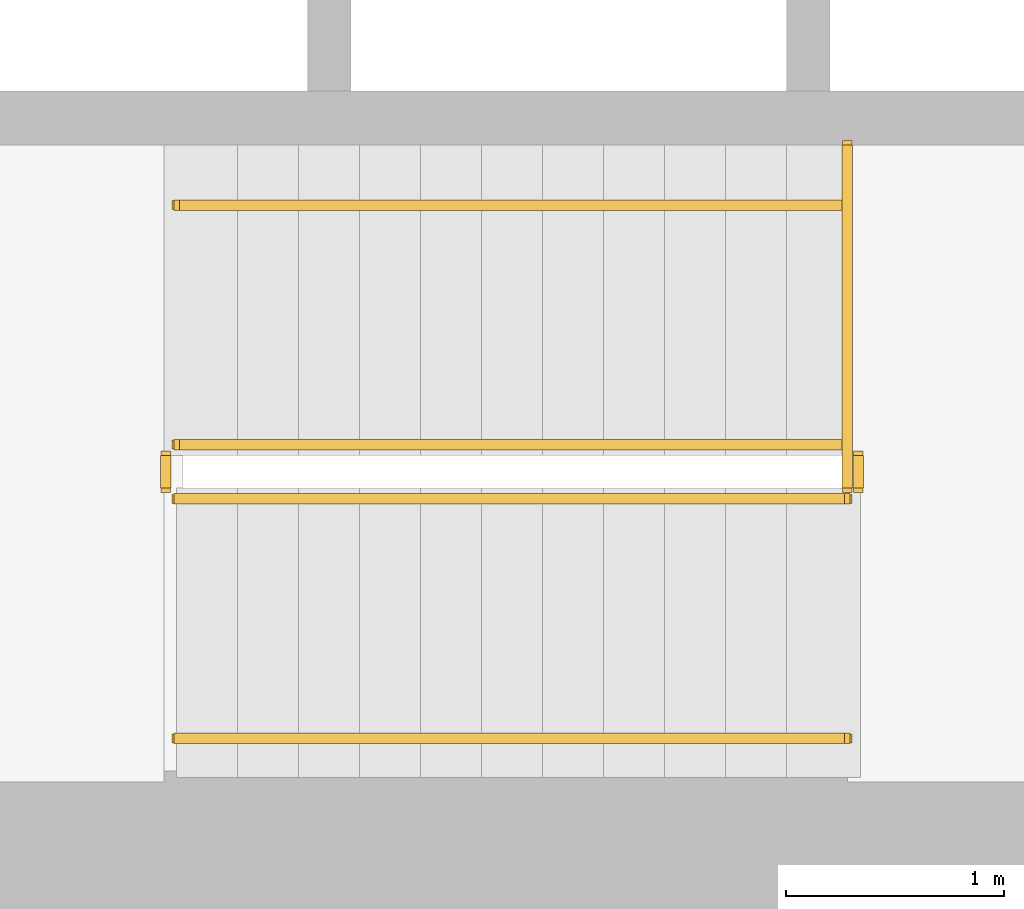
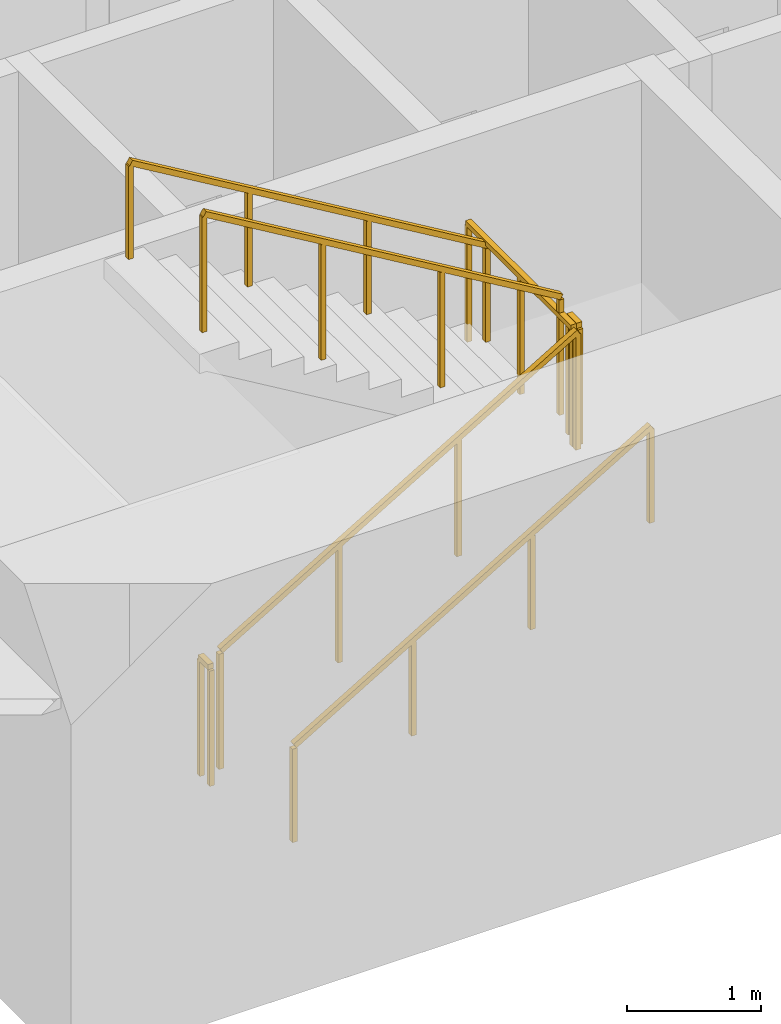
# One storey, part 12 of 15: 7 railings.
"""IFC4 building model written with IfcOpenShell, lengths in metres."""

from ifc_helpers import new_model, si_unit, direction, frame, origin, origin_2d, place, context, subcontext, project, spatial, rectangle, extrude, material, type_object, element, save


model = new_model("IFC4")

# Units and contexts
model_context = context("Model", 3, precision=1e-05, world=origin(), true_north=direction((0.0, 1.0)))
body_context = subcontext(model_context, "Body", "Model", "MODEL_VIEW")
ifc_project = project(units=[si_unit("LENGTHUNIT", "METRE"), si_unit("AREAUNIT", "SQUARE_METRE"), si_unit("VOLUMEUNIT", "CUBIC_METRE"), si_unit("PLANEANGLEUNIT", "RADIAN"), si_unit("MASSUNIT", "GRAM", prefix="KILO")], contexts=[model_context])

# Site, building, storey
site_placement = place(None, origin())
site = spatial("IfcSite", under=ifc_project, at=site_placement, CompositionType="ELEMENT")
building_placement = place(site_placement, origin())
building = spatial("IfcBuilding", under=site, at=building_placement, Name="Sennacour Bend Tower", CompositionType="ELEMENT")
storey_placement = place(building_placement, frame((0.0, 0.0, 41.0)))
storey = spatial("IfcBuildingStorey", under=building, at=storey_placement, Name="L08", CompositionType="ELEMENT", Elevation=41.0)

# Railings
ifc_material = material(Name="Stainless steel", Category="steel")
railing_type_1 = type_object("IfcRailingType", Name="RL-GUARD-1100", PredefinedType="GUARDRAIL", material=ifc_material)
railing_1_placement = place(storey_placement, frame((56.699951171875, 2.449951171875, 0.166748046875)))
element("IfcRailing", 1, at=railing_1_placement, inside=storey, type_object=railing_type_1, Name="L08 SA1 stair guard 1", PredefinedType="GUARDRAIL", context=body_context, shape_type="SweptSolid", body=[
    extrude(rectangle(XDim=0.048095703125, YDim=0.048095703125, at=origin_2d()), frame((0.0, 0.0, 1.076171875), z_axis=(0.859308565015, 0.0, 0.511457515432), x_axis=(0.0, 1.0, 0.0)), (0.0, 0.0, 1.0), 3.58447265625),
    extrude(rectangle(XDim=0.0419921875, YDim=0.0419921875, at=origin_2d()), origin(), (0.0, 0.0, 1.0), 1.052001953125),
    extrude(rectangle(XDim=0.0419921875, YDim=0.0419921875, at=origin_2d()), frame((1.026611328125, 0.0, 0.611083984375)), (0.0, 0.0, 1.0), 1.052001953125),
    extrude(rectangle(XDim=0.0419921875, YDim=0.0419921875, at=origin_2d()), frame((2.053466796875, 0.0, 1.22216796875)), (0.0, 0.0, 1.0), 1.052001953125),
    extrude(rectangle(XDim=0.0419921875, YDim=0.0419921875, at=origin_2d()), frame((3.080078125, 0.0, 1.833251953125)), (0.0, 0.0, 1.0), 1.052001953125),
])
railing_2_placement = place(storey_placement, frame((59.830078125, 2.5, 2.0)))
element("IfcRailing", 2, at=railing_2_placement, inside=storey, type_object=railing_type_1, Name="L08 SA1 stair guard 2", PredefinedType="GUARDRAIL", context=body_context, shape_type="SweptSolid", body=[
    extrude(rectangle(XDim=0.048095703125, YDim=0.048095703125, at=origin_2d()), frame((0.0, 0.0, 1.076171875), z_axis=(0.0, 1.0, 0.0), x_axis=(-1.0, 0.0, 0.0)), (0.0, 0.0, 1.0), 0.14990234375),
    extrude(rectangle(XDim=0.0419921875, YDim=0.0419921875, at=origin_2d()), origin(), (0.0, 0.0, 1.0), 1.052001953125),
    extrude(rectangle(XDim=0.0419921875, YDim=0.0419921875, at=origin_2d()), frame((0.0, 0.14990234375, 0.0)), (0.0, 0.0, 1.0), 1.052001953125),
])
railing_3_placement = place(storey_placement, frame((59.780029296875, 2.699951171875, 2.166748046875)))
element("IfcRailing", 3, at=railing_3_placement, inside=storey, type_object=railing_type_1, Name="L08 SA1 stair guard 4", PredefinedType="GUARDRAIL", context=body_context, shape_type="SweptSolid", body=[
    extrude(rectangle(XDim=0.048095703125, YDim=0.048095703125, at=origin_2d()), frame((0.0, 0.0, 1.076171875), z_axis=(-0.859308565015, 0.0, 0.511457515432), x_axis=(0.0, -1.0, 0.0)), (0.0, 0.0, 1.0), 3.58447265625),
    extrude(rectangle(XDim=0.0419921875, YDim=0.0419921875, at=origin_2d()), origin(), (0.0, 0.0, 1.0), 1.052001953125),
    extrude(rectangle(XDim=0.0419921875, YDim=0.0419921875, at=origin_2d()), frame((-1.026611328125, 0.0, 0.611083984375)), (0.0, 0.0, 1.0), 1.052001953125),
    extrude(rectangle(XDim=0.0419921875, YDim=0.0419921875, at=origin_2d()), frame((-2.053466796875, 0.0, 1.22216796875)), (0.0, 0.0, 1.0), 1.052001953125),
    extrude(rectangle(XDim=0.0419921875, YDim=0.0419921875, at=origin_2d()), frame((-3.080078125, 0.0, 1.833251953125)), (0.0, 0.0, 1.0), 1.052001953125),
])
railing_4_placement = place(storey_placement, frame((56.64990234375, 2.5, 0.0)))
element("IfcRailing", 4, at=railing_4_placement, inside=storey, type_object=railing_type_1, Name="L08 SA1 stair guard 5", PredefinedType="GUARDRAIL", context=body_context, shape_type="SweptSolid", body=[
    extrude(rectangle(XDim=0.048095703125, YDim=0.048095703125, at=origin_2d()), frame((0.0, 0.0, 1.076171875), z_axis=(0.0, 1.0, 0.0), x_axis=(-1.0, 0.0, 0.0)), (0.0, 0.0, 1.0), 0.14990234375),
    extrude(rectangle(XDim=0.0419921875, YDim=0.0419921875, at=origin_2d()), origin(), (0.0, 0.0, 1.0), 1.052001953125),
    extrude(rectangle(XDim=0.0419921875, YDim=0.0419921875, at=origin_2d()), frame((0.0, 0.14990234375, 0.0)), (0.0, 0.0, 1.0), 1.052001953125),
])
railing_5_placement = place(storey_placement, frame((59.780029296875, 2.5, 2.0)))
element("IfcRailing", 5, at=railing_5_placement, inside=storey, type_object=railing_type_1, Name="L08 SA1 landing edge guard 23", PredefinedType="GUARDRAIL", context=body_context, shape_type="SweptSolid", body=[
    extrude(rectangle(XDim=0.048095703125, YDim=0.048095703125, at=origin_2d()), frame((0.0, 0.0, 1.076171875), z_axis=(0.0, 1.0, 0.0), x_axis=(-1.0, 0.0, 0.0)), (0.0, 0.0, 1.0), 1.574951171875),
    extrude(rectangle(XDim=0.0419921875, YDim=0.0419921875, at=origin_2d()), origin(), (0.0, 0.0, 1.0), 1.052001953125),
    extrude(rectangle(XDim=0.0419921875, YDim=0.0419921875, at=origin_2d()), frame((0.0, 0.78759765625, 0.0)), (0.0, 0.0, 1.0), 1.052001953125),
    extrude(rectangle(XDim=0.0419921875, YDim=0.0419921875, at=origin_2d()), frame((0.0, 1.574951171875, 0.0)), (0.0, 0.0, 1.0), 1.052001953125),
])
railing_type_2 = type_object("IfcRailingType", Name="RL-HANDRAIL-900", PredefinedType="HANDRAIL", material=ifc_material)
railing_6_placement = place(storey_placement, frame((56.699951171875, 1.35009765625, 0.166748046875)))
element("IfcRailing", 6, at=railing_6_placement, inside=storey, type_object=railing_type_2, Name="L08 SA1 stair handrail 1", PredefinedType="HANDRAIL", context=body_context, shape_type="SweptSolid", body=[
    extrude(rectangle(XDim=0.048095703125, YDim=0.048095703125, at=origin_2d()), frame((0.0, 0.0, 0.8759765625), z_axis=(0.859308565015, 0.0, 0.511457515432), x_axis=(0.0, 1.0, 0.0)), (0.0, 0.0, 1.0), 3.58447265625),
    extrude(rectangle(XDim=0.0419921875, YDim=0.0419921875, at=origin_2d()), origin(), (0.0, 0.0, 1.0), 0.851806640625),
    extrude(rectangle(XDim=0.0419921875, YDim=0.0419921875, at=origin_2d()), frame((1.026611328125, 0.0, 0.611083984375)), (0.0, 0.0, 1.0), 0.851806640625),
    extrude(rectangle(XDim=0.0419921875, YDim=0.0419921875, at=origin_2d()), frame((2.053466796875, 0.0, 1.22216796875)), (0.0, 0.0, 1.0), 0.851806640625),
    extrude(rectangle(XDim=0.0419921875, YDim=0.0419921875, at=origin_2d()), frame((3.080078125, 0.0, 1.833251953125)), (0.0, 0.0, 1.0), 0.851806640625),
])
railing_7_placement = place(storey_placement, frame((59.780029296875, 3.800048828125, 2.166748046875)))
element("IfcRailing", 7, at=railing_7_placement, inside=storey, type_object=railing_type_2, Name="L08 SA1 stair handrail 2", PredefinedType="HANDRAIL", context=body_context, shape_type="SweptSolid", body=[
    extrude(rectangle(XDim=0.048095703125, YDim=0.048095703125, at=origin_2d()), frame((0.0, 0.0, 0.8759765625), z_axis=(-0.859308565015, 0.0, 0.511457515432), x_axis=(0.0, -1.0, 0.0)), (0.0, 0.0, 1.0), 3.58447265625),
    extrude(rectangle(XDim=0.0419921875, YDim=0.0419921875, at=origin_2d()), origin(), (0.0, 0.0, 1.0), 0.851806640625),
    extrude(rectangle(XDim=0.0419921875, YDim=0.0419921875, at=origin_2d()), frame((-1.026611328125, 0.0, 0.611083984375)), (0.0, 0.0, 1.0), 0.851806640625),
    extrude(rectangle(XDim=0.0419921875, YDim=0.0419921875, at=origin_2d()), frame((-2.053466796875, 0.0, 1.22216796875)), (0.0, 0.0, 1.0), 0.851806640625),
    extrude(rectangle(XDim=0.0419921875, YDim=0.0419921875, at=origin_2d()), frame((-3.080078125, 0.0, 1.833251953125)), (0.0, 0.0, 1.0), 0.851806640625),
])

save(model, "model.ifc")
